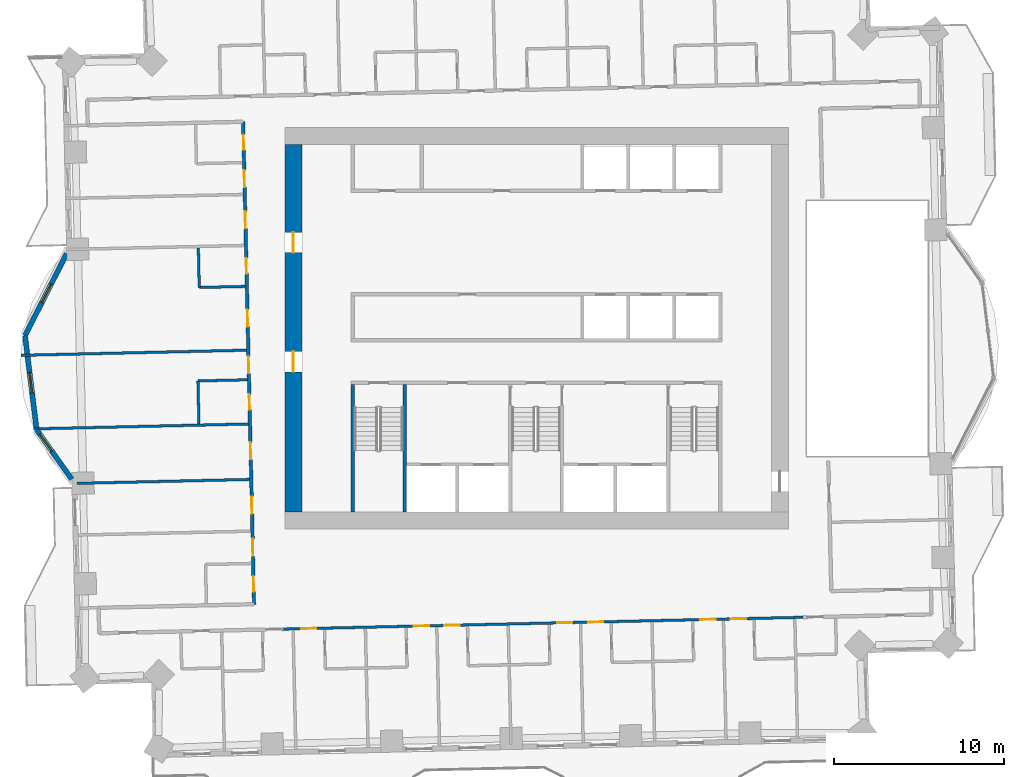
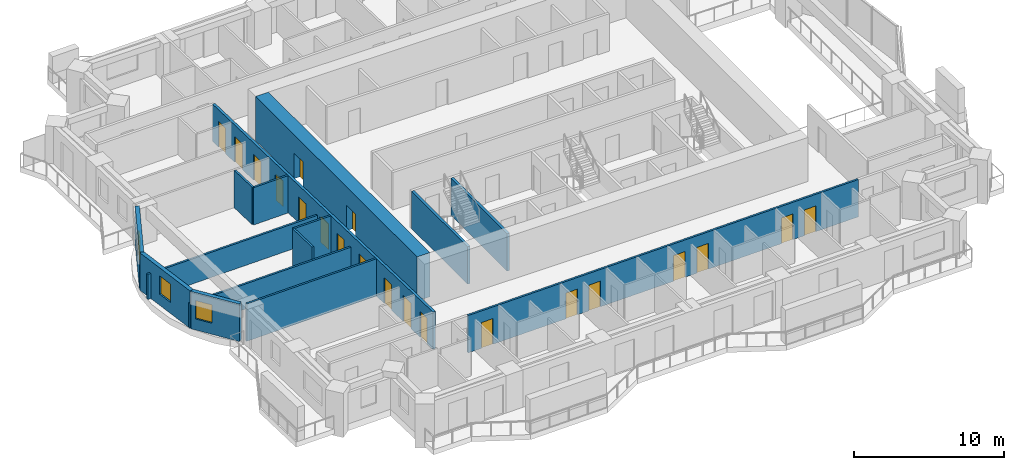
# One storey, part 7 of 16: 20 doors, 15 walls, 3 windows, 23 openings.
"""IFC4 building model written with IfcOpenShell, lengths in metres."""

import ifcopenshell
import ifcopenshell.guid

model = None  # the IFC model being written
_history = None  # IfcOwnerHistory: only IFC2X3 demands one
_inside = {}  # id of a spatial element -> (the spatial element, [elements in it])
_under = {}  # id of a project, library or spatial element -> (it, [spatial elements below it])
_declared = {}  # id of a project -> (the project, [libraries it declares])
_typed = {}  # id of a type object -> (the type object, [elements of that type])
_made_of = {}  # id of a material, layer set ... -> (it, [elements and type objects made of it])


def new_model(schema):
    """Start an empty IFC model of exactly this schema.

    Asked for "IFC4X3", IfcOpenShell would pick the latest addendum, in which some entities
    have other attributes; the version numbers below select the first issue.
    IFC2X3 requires an IfcOwnerHistory on every rooted entity: one is made here for all.
    """
    global model, _history
    if schema == "IFC4X3":
        model = ifcopenshell.file(schema_version=(4, 3, 0, 0))
    else:
        model = ifcopenshell.file(schema=schema)
    _inside.clear()
    _under.clear()
    _declared.clear()
    _typed.clear()
    _made_of.clear()
    _history = None
    if model.schema == "IFC2X3":
        org = make("IfcOrganization", Name="unknown")
        user = make(
            "IfcPersonAndOrganization",
            ThePerson=make("IfcPerson", FamilyName="unknown"),
            TheOrganization=org,
        )
        app = make(
            "IfcApplication",
            ApplicationDeveloper=org,
            Version="unknown",
            ApplicationFullName="unknown",
            ApplicationIdentifier="unknown",
        )
        _history = make(
            "IfcOwnerHistory",
            OwningUser=user,
            OwningApplication=app,
            ChangeAction="ADDED",
            CreationDate=0,
        )
    return model


def make(cls, **values):
    """One entity of the class cls with the attributes given. An attribute that is None is left unset."""
    return model.create_entity(
        cls, **{name: value for name, value in values.items() if value is not None}
    )


def rooted(cls, **values):
    """An entity with a GlobalId (a new one), such as an element, a storey or a relation."""
    return make(cls, GlobalId=ifcopenshell.guid.new(), OwnerHistory=_history, **values)


def si_unit(unit_type, name, prefix=None):
    """IfcSIUnit, for example si_unit("LENGTHUNIT", "METRE", prefix="MILLI")."""
    return make("IfcSIUnit", UnitType=unit_type, Prefix=prefix, Name=name)


def assignment(units):
    """IfcUnitAssignment: the units of a project."""
    return None if units is None else make("IfcUnitAssignment", Units=units)


def point(xyz):
    """IfcCartesianPoint."""
    return None if xyz is None else make("IfcCartesianPoint", Coordinates=xyz)


def direction(xyz):
    """IfcDirection."""
    return None if xyz is None else make("IfcDirection", DirectionRatios=xyz)


def frame(location, z_axis=None, x_axis=None):
    """IfcAxis2Placement3D, a coordinate frame: its origin and axes. An axis left out is left unset."""
    return make(
        "IfcAxis2Placement3D",
        Location=point(location),
        Axis=direction(z_axis),
        RefDirection=direction(x_axis),
    )


def frame_2d(location, x_axis=None):
    """IfcAxis2Placement2D, a coordinate frame in the plane: its origin and x axis."""
    return make(
        "IfcAxis2Placement2D", Location=point(location), RefDirection=direction(x_axis)
    )


def origin():
    """The frame at (0, 0, 0) with its axes left unset."""
    return frame((0.0, 0.0, 0.0))


def place(relative_to, where):
    """IfcLocalPlacement: puts the frame where relative to a parent placement (None: the world)."""
    return make(
        "IfcLocalPlacement", PlacementRelTo=relative_to, RelativePlacement=where
    )


def context(
    kind, dimensions, precision=None, world=None, true_north=None, identifier=None
):
    """IfcGeometricRepresentationContext, for example the 3D "Model" context."""
    return make(
        "IfcGeometricRepresentationContext",
        ContextIdentifier=identifier,
        ContextType=kind,
        CoordinateSpaceDimension=dimensions,
        Precision=precision,
        WorldCoordinateSystem=world,
        TrueNorth=true_north,
    )


def subcontext(parent, identifier, kind, view, scale=None):
    """IfcGeometricRepresentationSubContext, for example "Body" below "Model"."""
    return make(
        "IfcGeometricRepresentationSubContext",
        ContextIdentifier=identifier,
        ContextType=kind,
        ParentContext=parent,
        TargetScale=scale,
        TargetView=view,
    )


def project(units=None, contexts=None):
    """IfcProject with its units and contexts."""
    return rooted(
        "IfcProject",
        Name="project",
        RepresentationContexts=contexts,
        UnitsInContext=assignment(units),
    )


def spatial(cls, under=None, at=None, **own):
    """A site, building, storey or space (cls), placed at a placement, below another one or the project."""
    s = rooted(cls, ObjectPlacement=at, **own)
    if under is not None:
        _under.setdefault(under.id(), (under, []))[1].append(s)
    return s


def profile(cls, at=None, kind="AREA", **sizes):
    """A parametric profile (cls). Its sizes go by their IFC names, for example OverallWidth=200.0."""
    return make(cls, ProfileType=kind, Position=at, **sizes)


def rectangle(**sizes):
    """IfcRectangleProfileDef."""
    return profile("IfcRectangleProfileDef", **sizes)


def extrude(swept, where, along, depth):
    """IfcExtrudedAreaSolid: the profile swept, set in the frame where, extruded along a direction by depth."""
    return make(
        "IfcExtrudedAreaSolid",
        SweptArea=swept,
        Position=where,
        ExtrudedDirection=direction(along),
        Depth=depth,
    )


def shape(context_of_items, identifier, shape_type, items):
    """IfcShapeRepresentation: the items that make up one representation, for example the "Body"."""
    return make(
        "IfcShapeRepresentation",
        ContextOfItems=context_of_items,
        RepresentationIdentifier=identifier,
        RepresentationType=shape_type,
        Items=items,
    )


def material(Name=None, Category=None):
    """IfcMaterial."""
    return make("IfcMaterial", Name=Name, Category=Category)


def layer(
    of_material, thickness, ventilated=None, Name=None, Category=None, Priority=None
):
    """IfcMaterialLayer: one layer of a wall or slab, of a material (None: an air gap)."""
    return make(
        "IfcMaterialLayer",
        Material=of_material,
        LayerThickness=thickness,
        IsVentilated=ventilated,
        Name=Name,
        Category=Category,
        Priority=Priority,
    )


def layer_set(layers, Name=None):
    """IfcMaterialLayerSet."""
    return make("IfcMaterialLayerSet", MaterialLayers=layers, LayerSetName=Name)


def made_of(thing, what):
    """Note that an element or type object is made of a material, layer set ...; save() writes the relation."""
    if what is not None:
        _made_of.setdefault(what.id(), (what, []))[1].append(thing)
    return thing


def type_object(cls, material=None, **own):
    """A type object (cls), such as IfcWallType, which elements share."""
    return made_of(rooted(cls, **own), material)


def element(
    cls,
    number,
    at=None,
    inside=None,
    cuts=None,
    type_object=None,
    material=None,
    context=None,
    identifier="Body",
    shape_type=None,
    held_by="IfcProductDefinitionShape",
    body=None,
    shapes=None,
    **own,
):
    """One element of the class cls, such as IfcWall. Its Tag is "e" and its number.

    at: its placement. inside: the storey or other place that contains it. cuts: it is an
    opening in that element (IfcRelVoidsElement). A single representation is given by context,
    identifier, shape_type and body (its items); several are given by shapes. held_by: the class
    of the entity that holds the representations. save() writes the other relations.
    """
    e = rooted(cls, Tag="e%d" % number, ObjectPlacement=at, **own)
    if body is not None:
        shapes = [shape(context, identifier, shape_type, body)]
    if shapes is not None:
        e.Representation = make(held_by, Representations=shapes)
    if inside is not None:
        _inside.setdefault(inside.id(), (inside, []))[1].append(e)
    if cuts is not None:
        rooted(
            "IfcRelVoidsElement", RelatingBuildingElement=cuts, RelatedOpeningElement=e
        )
    if type_object is not None:
        _typed.setdefault(type_object.id(), (type_object, []))[1].append(e)
    return made_of(e, material)


def fill(opening, filler):
    """IfcRelFillsElement: the door or window that sits in an opening."""
    return rooted(
        "IfcRelFillsElement",
        RelatingOpeningElement=opening,
        RelatedBuildingElement=filler,
    )


def aggregate(whole, parts):
    """IfcRelAggregates: a whole, such as a stair, and the parts it consists of."""
    return rooted("IfcRelAggregates", RelatingObject=whole, RelatedObjects=parts)


def save(model, path):
    """Write the relations noted so far, then the file.

    IfcRelAggregates (storeys below a building ...), IfcRelContainedInSpatialStructure (elements
    in a storey), IfcRelDefinesByType, IfcRelAssociatesMaterial and IfcRelDeclares: one each for
    every whole, place, type object, material and project.
    """
    for whole, parts in _under.values():
        aggregate(whole, parts)
    for where, things in _inside.values():
        rooted(
            "IfcRelContainedInSpatialStructure",
            RelatedElements=things,
            RelatingStructure=where,
        )
    for kind, things in _typed.values():
        rooted("IfcRelDefinesByType", RelatedObjects=things, RelatingType=kind)
    for what, things in _made_of.values():
        rooted("IfcRelAssociatesMaterial", RelatedObjects=things, RelatingMaterial=what)
    for by, libraries in _declared.values():
        rooted("IfcRelDeclares", RelatingContext=by, RelatedDefinitions=libraries)
    model.write(path)


model = new_model("IFC4")

# Units and contexts
model_context = context("Model", 3, precision=1e-05, world=origin(), true_north=direction((0.0, 1.0)))
body_context = subcontext(model_context, "Body", "Model", "MODEL_VIEW")
ifc_project = project(units=[si_unit("LENGTHUNIT", "METRE"), si_unit("AREAUNIT", "SQUARE_METRE"), si_unit("VOLUMEUNIT", "CUBIC_METRE"), si_unit("PLANEANGLEUNIT", "RADIAN"), si_unit("MASSUNIT", "GRAM", prefix="KILO")], contexts=[model_context])

# Site, building, storey
site_placement = place(None, origin())
site = spatial("IfcSite", under=ifc_project, at=site_placement, CompositionType="ELEMENT")
building_placement = place(site_placement, origin())
building = spatial("IfcBuilding", under=site, at=building_placement, Name="Mangrove Gate Tower", CompositionType="ELEMENT")
storey_placement = place(building_placement, frame((0.0, 0.0, 133.699951171875)))
storey = spatial("IfcBuildingStorey", under=building, at=storey_placement, Name="L33", CompositionType="ELEMENT", Elevation=133.699951171875)

# Walls
ifc_material_1 = material(Name="Concrete C70/85", Category="concrete")
ifc_layer_1 = layer(ifc_material_1, 0.199951171875)
ifc_layer_set_1 = layer_set([ifc_layer_1], Name="Core stair wall 200 C70/85")
wall_type_1 = type_object("IfcWallType", Name="Core stair wall 200 C70/85", PredefinedType="SHEAR", material=ifc_layer_set_1)
for number, where, z_axis, x_axis, name in (
    (1, (-10.800048828125, -10.800048828125, 0.0), (0.0, 0.0, 1.0), (0.0, 1.0, 0.0), "WALL-L33-CORE-9"),
    (2, (-7.75, -10.800048828125, 0.0), (0.0, 0.0, 1.0), (0.0, 1.0, 0.0), "WALL-L33-CORE-10"),
):
    element("IfcWall", number, at=place(storey_placement, frame(where, z_axis=z_axis, x_axis=x_axis)), inside=storey, type_object=wall_type_1, Name=name, PredefinedType="SHEAR", context=body_context, shape_type="SweptSolid", body=[
        extrude(rectangle(XDim=7.5, YDim=0.199951171875, at=frame_2d((3.75, 0.0))), origin(), (0.0, 0.0, 1.0), 3.050048828125),
    ])

# Wall, openings, doors
ifc_material_2 = material(Name="Concrete C70/85", Category="concrete")
ifc_layer_2 = layer(ifc_material_2, 1.0)
ifc_layer_set_2 = layer_set([ifc_layer_2], Name="Core wall 1000 C70/85")
wall_type_2 = type_object("IfcWallType", Name="Core wall 1000 C70/85", PredefinedType="SHEAR", material=ifc_layer_set_2)
wall_1_placement = place(storey_placement, frame((-14.300048828125, -10.800048828125, 0.0), z_axis=(0.0, 0.0, 1.0), x_axis=(0.0, 1.0, 0.0)))
wall_1 = element("IfcWall", 3, at=wall_1_placement, inside=storey, type_object=wall_type_2, Name="WALL-L33-CORE-3", PredefinedType="SHEAR", context=body_context, shape_type="SweptSolid", body=[
    extrude(rectangle(XDim=21.60009765625, YDim=1.0, at=frame_2d((10.800048828125, 0.0))), origin(), (0.0, 0.0, 1.0), 3.60009765625),
])
opening_1_placement = place(wall_1_placement, frame((8.25, 0.0, 0.0)))
opening_1 = element("IfcOpeningElement", 4, at=opening_1_placement, cuts=wall_1, Name="Opening CD", PredefinedType="OPENING", context=body_context, shape_type="SweptSolid", body=[
    extrude(rectangle(XDim=1.199951171875, YDim=2.10009765625, at=frame_2d((0.60009765625, 1.050048828125))), frame((0.0, 0.510009765625, 0.0), z_axis=(0.0, -1.0, 0.0), x_axis=(1.0, 0.0, 0.0)), (0.0, 0.0, 1.0), 1.02001953125),
])
opening_2_placement = place(wall_1_placement, frame((15.25, 0.0, 0.0)))
opening_2 = element("IfcOpeningElement", 5, at=opening_2_placement, cuts=wall_1, Name="Opening CD", PredefinedType="OPENING", context=body_context, shape_type="SweptSolid", body=[
    extrude(rectangle(XDim=1.199951171875, YDim=2.10009765625, at=frame_2d((0.60009765625, 1.050048828125))), frame((0.0, 0.510009765625, 0.0), z_axis=(0.0, -1.0, 0.0), x_axis=(1.0, 0.0, 0.0)), (0.0, 0.0, 1.0), 1.02001953125),
])
ifc_material_3 = material(Name="Fire-rated steel door set", Category="steel")
door_type_1 = type_object("IfcDoorType", Name="Core ring door FD60 1200x2100", OperationType="DOUBLE_DOOR_SINGLE_SWING", PredefinedType="DOOR", material=ifc_material_3)
door_1_placement = place(opening_1_placement, origin())
door_1 = element("IfcDoor", 6, at=door_1_placement, inside=storey, type_object=door_type_1, Name="Core ring door W1", OperationType="DOUBLE_DOOR_SINGLE_SWING", OverallHeight=2.10009765625, OverallWidth=1.199951171875, PredefinedType="DOOR", context=body_context, shape_type="SweptSolid", body=[
    extrude(rectangle(XDim=1.199951171875, YDim=2.10009765625, at=frame_2d((0.60009765625, 1.050048828125))), frame((0.0, 0.02490234375, 0.0), z_axis=(0.0, -1.0, 0.0), x_axis=(1.0, 0.0, 0.0)), (0.0, 0.0, 1.0), 0.050048828125),
])
fill(opening_1, door_1)
door_2_placement = place(opening_2_placement, origin())
door_2 = element("IfcDoor", 7, at=door_2_placement, inside=storey, type_object=door_type_1, Name="Core ring door W2", OperationType="DOUBLE_DOOR_SINGLE_SWING", OverallHeight=2.10009765625, OverallWidth=1.199951171875, PredefinedType="DOOR", context=body_context, shape_type="SweptSolid", body=[
    extrude(rectangle(XDim=1.199951171875, YDim=2.10009765625, at=frame_2d((0.60009765625, 1.050048828125))), frame((0.0, 0.02490234375, 0.0), z_axis=(0.0, -1.0, 0.0), x_axis=(1.0, 0.0, 0.0)), (0.0, 0.0, 1.0), 0.050048828125),
])
fill(opening_2, door_2)

ifc_material_4 = material(Name="Gypsum board on steel stud, EI 60", Category="steel")
ifc_layer_3 = layer(ifc_material_4, 0.199951171875)
ifc_layer_set_3 = layer_set([ifc_layer_3], Name="Corridor wall EI 60")
wall_type_3 = type_object("IfcWallType", Name="Corridor wall EI 60", PredefinedType="PARTITIONING", material=ifc_layer_set_3)
wall_2_placement = place(storey_placement, frame((-16.60302734375, -16.218017578125, 0.0), z_axis=(0.0, 0.0, 1.0), x_axis=(-0.022698146637, 0.999742363881, 0.0)))
wall_2 = element("IfcWall", 8, at=wall_2_placement, inside=storey, type_object=wall_type_3, Name="WALL-L33-033", PredefinedType="PARTITIONING", context=body_context, shape_type="SweptSolid", body=[
    extrude(rectangle(XDim=28.374267578125, YDim=0.199951171875, at=frame_2d((14.18701171875, 0.0))), origin(), (0.0, 0.0, 1.0), 3.050048828125),
])
opening_3_placement = place(wall_2_placement, frame((24.537109375, 0.0, 0.0)))
opening_3 = element("IfcOpeningElement", 9, at=opening_3_placement, cuts=wall_2, Name="Opening AD", PredefinedType="OPENING", context=body_context, shape_type="SweptSolid", body=[
    extrude(rectangle(XDim=1.0, YDim=2.10009765625, at=frame_2d((0.5, 1.050048828125))), frame((0.0, 0.10986328125, 0.0), z_axis=(0.0, -1.0, 0.0), x_axis=(1.0, 0.0, 0.0)), (0.0, 0.0, 1.0), 0.219970703125),
])
opening_4_placement = place(wall_2_placement, frame((26.72412109375, 0.0, 0.0)))
opening_4 = element("IfcOpeningElement", 10, at=opening_4_placement, cuts=wall_2, Name="Opening SD", PredefinedType="OPENING", context=body_context, shape_type="SweptSolid", body=[
    extrude(rectangle(XDim=0.89990234375, YDim=2.10009765625, at=frame_2d((0.449951171875, 1.050048828125))), frame((0.0, 0.10986328125, 0.0), z_axis=(0.0, -1.0, 0.0), x_axis=(1.0, 0.0, 0.0)), (0.0, 0.0, 1.0), 0.219970703125),
])
opening_5_placement = place(wall_2_placement, frame((22.09912109375, 0.0, 0.0)))
opening_5 = element("IfcOpeningElement", 11, at=opening_5_placement, cuts=wall_2, Name="Opening AD", PredefinedType="OPENING", context=body_context, shape_type="SweptSolid", body=[
    extrude(rectangle(XDim=1.0, YDim=2.10009765625, at=frame_2d((0.5, 1.050048828125))), frame((0.0, 0.10986328125, 0.0), z_axis=(0.0, -1.0, 0.0), x_axis=(1.0, 0.0, 0.0)), (0.0, 0.0, 1.0), 0.219970703125),
])
opening_6_placement = place(wall_2_placement, frame((16.323974609375, 0.0, 0.0)))
opening_6 = element("IfcOpeningElement", 12, at=opening_6_placement, cuts=wall_2, Name="Opening AD", PredefinedType="OPENING", context=body_context, shape_type="SweptSolid", body=[
    extrude(rectangle(XDim=1.0, YDim=2.10009765625, at=frame_2d((0.5, 1.050048828125))), frame((0.0, 0.10986328125, 0.0), z_axis=(0.0, -1.0, 0.0), x_axis=(1.0, 0.0, 0.0)), (0.0, 0.0, 1.0), 0.219970703125),
])
opening_7_placement = place(wall_2_placement, frame((19.448974609375, 0.0, 0.0)))
opening_7 = element("IfcOpeningElement", 13, at=opening_7_placement, cuts=wall_2, Name="Opening SD", PredefinedType="OPENING", context=body_context, shape_type="SweptSolid", body=[
    extrude(rectangle(XDim=0.89990234375, YDim=2.10009765625, at=frame_2d((0.449951171875, 1.050048828125))), frame((0.0, 0.10986328125, 0.0), z_axis=(0.0, -1.0, 0.0), x_axis=(1.0, 0.0, 0.0)), (0.0, 0.0, 1.0), 0.219970703125),
])
opening_8_placement = place(wall_2_placement, frame((13.573974609375, 0.0, 0.0)))
opening_8 = element("IfcOpeningElement", 14, at=opening_8_placement, cuts=wall_2, Name="Opening AD", PredefinedType="OPENING", context=body_context, shape_type="SweptSolid", body=[
    extrude(rectangle(XDim=1.0, YDim=2.10009765625, at=frame_2d((0.5, 1.050048828125))), frame((0.0, 0.10986328125, 0.0), z_axis=(0.0, -1.0, 0.0), x_axis=(1.0, 0.0, 0.0)), (0.0, 0.0, 1.0), 0.219970703125),
])
opening_9_placement = place(wall_2_placement, frame((11.448974609375, 0.0, 0.0)))
opening_9 = element("IfcOpeningElement", 15, at=opening_9_placement, cuts=wall_2, Name="Opening SD", PredefinedType="OPENING", context=body_context, shape_type="SweptSolid", body=[
    extrude(rectangle(XDim=0.89990234375, YDim=2.10009765625, at=frame_2d((0.449951171875, 1.050048828125))), frame((0.0, 0.10986328125, 0.0), z_axis=(0.0, -1.0, 0.0), x_axis=(1.0, 0.0, 0.0)), (0.0, 0.0, 1.0), 0.219970703125),
])
opening_10_placement = place(wall_2_placement, frame((8.52392578125, 0.0, 0.0)))
opening_10 = element("IfcOpeningElement", 16, at=opening_10_placement, cuts=wall_2, Name="Opening AD", PredefinedType="OPENING", context=body_context, shape_type="SweptSolid", body=[
    extrude(rectangle(XDim=1.0, YDim=2.10009765625, at=frame_2d((0.5, 1.050048828125))), frame((0.0, 0.10986328125, 0.0), z_axis=(0.0, -1.0, 0.0), x_axis=(1.0, 0.0, 0.0)), (0.0, 0.0, 1.0), 0.219970703125),
])
opening_11_placement = place(wall_2_placement, frame((5.324951171875, 0.0, 0.0)))
opening_11 = element("IfcOpeningElement", 17, at=opening_11_placement, cuts=wall_2, Name="Opening AD", PredefinedType="OPENING", context=body_context, shape_type="SweptSolid", body=[
    extrude(rectangle(XDim=1.0, YDim=2.10009765625, at=frame_2d((0.5, 1.050048828125))), frame((0.0, 0.10986328125, 0.0), z_axis=(0.0, -1.0, 0.0), x_axis=(1.0, 0.0, 0.0)), (0.0, 0.0, 1.0), 0.219970703125),
])
opening_12_placement = place(wall_2_placement, frame((2.85009765625, 0.0, 0.0)))
opening_12 = element("IfcOpeningElement", 18, at=opening_12_placement, cuts=wall_2, Name="Opening AD", PredefinedType="OPENING", context=body_context, shape_type="SweptSolid", body=[
    extrude(rectangle(XDim=1.0, YDim=2.10009765625, at=frame_2d((0.5, 1.050048828125))), frame((0.0, 0.10986328125, 0.0), z_axis=(0.0, -1.0, 0.0), x_axis=(1.0, 0.0, 0.0)), (0.0, 0.0, 1.0), 0.219970703125),
])
opening_13_placement = place(wall_2_placement, frame((0.75, 0.0, 0.0)))
opening_13 = element("IfcOpeningElement", 19, at=opening_13_placement, cuts=wall_2, Name="Opening SD", PredefinedType="OPENING", context=body_context, shape_type="SweptSolid", body=[
    extrude(rectangle(XDim=0.89990234375, YDim=2.10009765625, at=frame_2d((0.449951171875, 1.050048828125))), frame((0.0, 0.10986328125, 0.0), z_axis=(0.0, -1.0, 0.0), x_axis=(1.0, 0.0, 0.0)), (0.0, 0.0, 1.0), 0.219970703125),
])
ifc_material_5 = material(Name="Timber door leaf", Category="wood")
door_type_2 = type_object("IfcDoorType", Name="Amenity door 1000", OperationType="SINGLE_SWING_LEFT", PredefinedType="DOOR", material=ifc_material_5)
door_3_placement = place(opening_3_placement, origin())
door_3 = element("IfcDoor", 20, at=door_3_placement, inside=storey, type_object=door_type_2, Name="DOOR-L33-GAM-c5a", OperationType="SINGLE_SWING_RIGHT", OverallHeight=2.10009765625, OverallWidth=1.0, PredefinedType="DOOR", context=body_context, shape_type="SweptSolid", body=[
    extrude(rectangle(XDim=1.0, YDim=2.10009765625, at=frame_2d((0.5, 1.050048828125))), frame((0.0, 0.02490234375, 0.0), z_axis=(0.0, -1.0, 0.0), x_axis=(1.0, 0.0, 0.0)), (0.0, 0.0, 1.0), 0.050048828125),
])
fill(opening_3, door_3)
door_4_placement = place(opening_5_placement, origin())
door_4 = element("IfcDoor", 21, at=door_4_placement, inside=storey, type_object=door_type_2, Name="DOOR-L33-STU-c5a", OperationType="SINGLE_SWING_LEFT", OverallHeight=2.10009765625, OverallWidth=1.0, PredefinedType="DOOR", context=body_context, shape_type="SweptSolid", body=[
    extrude(rectangle(XDim=1.0, YDim=2.10009765625, at=frame_2d((0.5, 1.050048828125))), frame((0.0, 0.02490234375, 0.0), z_axis=(0.0, -1.0, 0.0), x_axis=(1.0, 0.0, 0.0)), (0.0, 0.0, 1.0), 0.050048828125),
])
fill(opening_5, door_4)
door_5_placement = place(opening_6_placement, origin())
door_5 = element("IfcDoor", 22, at=door_5_placement, inside=storey, type_object=door_type_2, Name="DOOR-L33-LNG-c5b", OperationType="SINGLE_SWING_RIGHT", OverallHeight=2.10009765625, OverallWidth=1.0, PredefinedType="DOOR", context=body_context, shape_type="SweptSolid", body=[
    extrude(rectangle(XDim=1.0, YDim=2.10009765625, at=frame_2d((0.5, 1.050048828125))), frame((0.0, 0.02490234375, 0.0), z_axis=(0.0, -1.0, 0.0), x_axis=(1.0, 0.0, 0.0)), (0.0, 0.0, 1.0), 0.050048828125),
])
fill(opening_6, door_5)
door_6_placement = place(opening_8_placement, origin())
door_6 = element("IfcDoor", 23, at=door_6_placement, inside=storey, type_object=door_type_2, Name="DOOR-L33-STU-c5b", OperationType="SINGLE_SWING_LEFT", OverallHeight=2.10009765625, OverallWidth=1.0, PredefinedType="DOOR", context=body_context, shape_type="SweptSolid", body=[
    extrude(rectangle(XDim=1.0, YDim=2.10009765625, at=frame_2d((0.5, 1.050048828125))), frame((0.0, 0.02490234375, 0.0), z_axis=(0.0, -1.0, 0.0), x_axis=(1.0, 0.0, 0.0)), (0.0, 0.0, 1.0), 0.050048828125),
])
fill(opening_8, door_6)
door_7_placement = place(opening_10_placement, origin())
door_7 = element("IfcDoor", 24, at=door_7_placement, inside=storey, type_object=door_type_2, Name="DOOR-L33-STU-c5c", OperationType="SINGLE_SWING_RIGHT", OverallHeight=2.10009765625, OverallWidth=1.0, PredefinedType="DOOR", context=body_context, shape_type="SweptSolid", body=[
    extrude(rectangle(XDim=1.0, YDim=2.10009765625, at=frame_2d((0.5, 1.050048828125))), frame((0.0, 0.02490234375, 0.0), z_axis=(0.0, -1.0, 0.0), x_axis=(1.0, 0.0, 0.0)), (0.0, 0.0, 1.0), 0.050048828125),
])
fill(opening_10, door_7)
door_8_placement = place(opening_11_placement, origin())
door_8 = element("IfcDoor", 25, at=door_8_placement, inside=storey, type_object=door_type_2, Name="DOOR-L33-STU-c5d", OperationType="SINGLE_SWING_LEFT", OverallHeight=2.10009765625, OverallWidth=1.0, PredefinedType="DOOR", context=body_context, shape_type="SweptSolid", body=[
    extrude(rectangle(XDim=1.0, YDim=2.10009765625, at=frame_2d((0.5, 1.050048828125))), frame((0.0, 0.02490234375, 0.0), z_axis=(0.0, -1.0, 0.0), x_axis=(1.0, 0.0, 0.0)), (0.0, 0.0, 1.0), 0.050048828125),
])
fill(opening_11, door_8)
door_9_placement = place(opening_12_placement, origin())
door_9 = element("IfcDoor", 26, at=door_9_placement, inside=storey, type_object=door_type_2, Name="DOOR-L33-KIT-c5a", OperationType="SINGLE_SWING_RIGHT", OverallHeight=2.10009765625, OverallWidth=1.0, PredefinedType="DOOR", context=body_context, shape_type="SweptSolid", body=[
    extrude(rectangle(XDim=1.0, YDim=2.10009765625, at=frame_2d((0.5, 1.050048828125))), frame((0.0, 0.02490234375, 0.0), z_axis=(0.0, -1.0, 0.0), x_axis=(1.0, 0.0, 0.0)), (0.0, 0.0, 1.0), 0.050048828125),
])
fill(opening_12, door_9)
ifc_material_6 = material(Name="Timber door leaf", Category="wood")
door_type_3 = type_object("IfcDoorType", Name="Service room door 900", OperationType="SINGLE_SWING_LEFT", PredefinedType="DOOR", material=ifc_material_6)
door_10_placement = place(opening_4_placement, origin())
door_10 = element("IfcDoor", 27, at=door_10_placement, inside=storey, type_object=door_type_3, Name="DOOR-L33-WC-c5a", OperationType="SINGLE_SWING_LEFT", OverallHeight=2.10009765625, OverallWidth=0.89990234375, PredefinedType="DOOR", context=body_context, shape_type="SweptSolid", body=[
    extrude(rectangle(XDim=0.89990234375, YDim=2.10009765625, at=frame_2d((0.449951171875, 1.050048828125))), frame((0.0, 0.02490234375, 0.0), z_axis=(0.0, -1.0, 0.0), x_axis=(1.0, 0.0, 0.0)), (0.0, 0.0, 1.0), 0.050048828125),
])
fill(opening_4, door_10)
door_11_placement = place(opening_7_placement, origin())
door_11 = element("IfcDoor", 28, at=door_11_placement, inside=storey, type_object=door_type_3, Name="DOOR-L33-WC-c5b", OperationType="SINGLE_SWING_RIGHT", OverallHeight=2.10009765625, OverallWidth=0.89990234375, PredefinedType="DOOR", context=body_context, shape_type="SweptSolid", body=[
    extrude(rectangle(XDim=0.89990234375, YDim=2.10009765625, at=frame_2d((0.449951171875, 1.050048828125))), frame((0.0, 0.02490234375, 0.0), z_axis=(0.0, -1.0, 0.0), x_axis=(1.0, 0.0, 0.0)), (0.0, 0.0, 1.0), 0.050048828125),
])
fill(opening_7, door_11)
door_12_placement = place(opening_9_placement, origin())
door_12 = element("IfcDoor", 29, at=door_12_placement, inside=storey, type_object=door_type_3, Name="DOOR-L33-AWC-c5b", OperationType="SINGLE_SWING_LEFT", OverallHeight=2.10009765625, OverallWidth=0.89990234375, PredefinedType="DOOR", context=body_context, shape_type="SweptSolid", body=[
    extrude(rectangle(XDim=0.89990234375, YDim=2.10009765625, at=frame_2d((0.449951171875, 1.050048828125))), frame((0.0, 0.02490234375, 0.0), z_axis=(0.0, -1.0, 0.0), x_axis=(1.0, 0.0, 0.0)), (0.0, 0.0, 1.0), 0.050048828125),
])
fill(opening_9, door_12)
door_13_placement = place(opening_13_placement, origin())
door_13 = element("IfcDoor", 30, at=door_13_placement, inside=storey, type_object=door_type_3, Name="DOOR-L33-WC-c5c", OperationType="SINGLE_SWING_RIGHT", OverallHeight=2.10009765625, OverallWidth=0.89990234375, PredefinedType="DOOR", context=body_context, shape_type="SweptSolid", body=[
    extrude(rectangle(XDim=0.89990234375, YDim=2.10009765625, at=frame_2d((0.449951171875, 1.050048828125))), frame((0.0, 0.02490234375, 0.0), z_axis=(0.0, -1.0, 0.0), x_axis=(1.0, 0.0, 0.0)), (0.0, 0.0, 1.0), 0.050048828125),
])
fill(opening_13, door_13)

# Wall, opening, window
ifc_material_7 = material(Name="Limestone", Category="masonry")
ifc_layer_4 = layer(ifc_material_7, 0.0400390625, Name="Limestone cladding")
ifc_material_8 = material(Name="Ventilated air gap")
ifc_layer_5 = layer(ifc_material_8, 0.0400390625, Name="Ventilated cavity")
ifc_material_9 = material(Name="Mineral wool insulation")
ifc_layer_6 = layer(ifc_material_9, 0.06005859375, Name="Insulation")
ifc_material_10 = material(Name="Breather membrane")
ifc_layer_7 = layer(ifc_material_10, 0.001953125, Name="Breather membrane")
ifc_material_11 = material(Name="Concrete C20/25 blockwork", Category="masonry")
ifc_layer_8 = layer(ifc_material_11, 0.14990234375, Name="Blockwork backing wall")
ifc_material_12 = material(Name="Gypsum plaster")
ifc_layer_9 = layer(ifc_material_12, 0.008056640625, Name="Internal plaster")
ifc_layer_set_4 = layer_set([ifc_layer_4, ifc_layer_5, ifc_layer_6, ifc_layer_7, ifc_layer_8, ifc_layer_9], Name="External wall 300 limestone cladding")
wall_type_4 = type_object("IfcWallType", Name="External wall 300 limestone cladding", PredefinedType="SOLIDWALL", material=ifc_layer_set_4)
wall_3_placement = place(storey_placement, frame((-27.625, 4.39208984375, 0.0), z_axis=(0.0, 0.0, 1.0), x_axis=(-0.45268572245, -0.891670138947, 0.0)))
wall_3 = element("IfcWall", 31, at=wall_3_placement, inside=storey, type_object=wall_type_4, Name="WALL-L33-W9f1", PredefinedType="SOLIDWALL", context=body_context, shape_type="SweptSolid", body=[
    extrude(rectangle(XDim=5.399169921875, YDim=0.300048828125, at=frame_2d((2.69970703125, 0.0))), origin(), (0.0, 0.0, 1.0), 3.050048828125),
])
opening_14_placement = place(wall_3_placement, frame((2.008056640625, 0.0, 0.89990234375)))
opening_14 = element("IfcOpeningElement", 32, at=opening_14_placement, cuts=wall_3, Name="Opening W1", PredefinedType="OPENING", context=body_context, shape_type="SweptSolid", body=[
    extrude(rectangle(XDim=1.199951171875, YDim=1.5, at=frame_2d((0.60009765625, 0.75))), frame((0.0, 0.159912109375, 0.0), z_axis=(0.0, -1.0, 0.0), x_axis=(1.0, 0.0, 0.0)), (0.0, 0.0, 1.0), 0.320068359375),
])
ifc_material_13 = material(Name="Aluminium frame with double-glazed low-e glass", Category="aluminium")
window_type = type_object("IfcWindowType", Name="Side lite 1200x1500", PartitioningType="SINGLE_PANEL", PredefinedType="WINDOW", material=ifc_material_13)
window_1_placement = place(opening_14_placement, origin())
window_1 = element("IfcWindow", 33, at=window_1_placement, inside=storey, type_object=window_type, Name="WIN-L33-W9f1", OverallHeight=1.5, OverallWidth=1.199951171875, PartitioningType="SINGLE_PANEL", PredefinedType="WINDOW", context=body_context, shape_type="SweptSolid", body=[
    extrude(rectangle(XDim=1.199951171875, YDim=1.5, at=frame_2d((0.60009765625, 0.75))), frame((0.0, 0.030029296875, 0.0), z_axis=(0.0, -1.0, 0.0), x_axis=(1.0, 0.0, 0.0)), (0.0, 0.0, 1.0), 0.06005859375),
])
fill(opening_14, window_1)

wall_4_placement = place(storey_placement, frame((-30.069091796875, -0.422119140625, 0.0), z_axis=(0.0, 0.0, 1.0), x_axis=(0.122206978992, -0.992504636909, 0.0)))
wall_4 = element("IfcWall", 34, at=wall_4_placement, inside=storey, type_object=wall_type_4, Name="WALL-L33-W9f2", PredefinedType="SOLIDWALL", context=body_context, shape_type="SweptSolid", body=[
    extrude(rectangle(XDim=5.57373046875, YDim=0.300048828125, at=frame_2d((2.786865234375, 0.0))), origin(), (0.0, 0.0, 1.0), 3.050048828125),
])
opening_15_placement = place(wall_4_placement, frame((2.18701171875, 0.0, 0.89990234375)))
opening_15 = element("IfcOpeningElement", 35, at=opening_15_placement, cuts=wall_4, Name="Opening W1", PredefinedType="OPENING", context=body_context, shape_type="SweptSolid", body=[
    extrude(rectangle(XDim=1.199951171875, YDim=1.5, at=frame_2d((0.60009765625, 0.75))), frame((0.0, 0.159912109375, 0.0), z_axis=(0.0, -1.0, 0.0), x_axis=(1.0, 0.0, 0.0)), (0.0, 0.0, 1.0), 0.320068359375),
])
window_2_placement = place(opening_15_placement, origin())
window_2 = element("IfcWindow", 36, at=window_2_placement, inside=storey, type_object=window_type, Name="WIN-L33-W9f2", OverallHeight=1.5, OverallWidth=1.199951171875, PartitioningType="SINGLE_PANEL", PredefinedType="WINDOW", context=body_context, shape_type="SweptSolid", body=[
    extrude(rectangle(XDim=1.199951171875, YDim=1.5, at=frame_2d((0.60009765625, 0.75))), frame((0.0, 0.030029296875, 0.0), z_axis=(0.0, -1.0, 0.0), x_axis=(1.0, 0.0, 0.0)), (0.0, 0.0, 1.0), 0.06005859375),
])
fill(opening_15, window_2)

wall_5_placement = place(storey_placement, frame((-29.387939453125, -5.9541015625, 0.0), z_axis=(0.0, 0.0, 1.0), x_axis=(0.578095163598, -0.815969351033, 0.0)))
wall_5 = element("IfcWall", 37, at=wall_5_placement, inside=storey, type_object=wall_type_4, Name="WALL-L33-W9f3", PredefinedType="SOLIDWALL", context=body_context, shape_type="SweptSolid", body=[
    extrude(rectangle(XDim=3.568603515625, YDim=0.300048828125, at=frame_2d((1.7841796875, 0.0))), origin(), (0.0, 0.0, 1.0), 3.050048828125),
])
opening_16_placement = place(wall_5_placement, frame((0.337890625, 0.0, 0.89990234375)))
opening_16 = element("IfcOpeningElement", 38, at=opening_16_placement, cuts=wall_5, Name="Opening W1", PredefinedType="OPENING", context=body_context, shape_type="SweptSolid", body=[
    extrude(rectangle(XDim=1.199951171875, YDim=1.5, at=frame_2d((0.60009765625, 0.75))), frame((0.0, 0.159912109375, 0.0), z_axis=(0.0, -1.0, 0.0), x_axis=(1.0, 0.0, 0.0)), (0.0, 0.0, 1.0), 0.320068359375),
])
window_3_placement = place(opening_16_placement, origin())
window_3 = element("IfcWindow", 39, at=window_3_placement, inside=storey, type_object=window_type, Name="WIN-L33-W9f3", OverallHeight=1.5, OverallWidth=1.199951171875, PartitioningType="SINGLE_PANEL", PredefinedType="WINDOW", context=body_context, shape_type="SweptSolid", body=[
    extrude(rectangle(XDim=1.199951171875, YDim=1.5, at=frame_2d((0.60009765625, 0.75))), frame((0.0, 0.030029296875, 0.0), z_axis=(0.0, -1.0, 0.0), x_axis=(1.0, 0.0, 0.0)), (0.0, 0.0, 1.0), 0.06005859375),
])
fill(opening_16, window_3)

# Wall, openings, doors
ifc_material_14 = material(Name="Gypsum board on steel stud, EI 60", Category="steel")
ifc_layer_10 = layer(ifc_material_14, 0.14990234375)
ifc_layer_set_5 = layer_set([ifc_layer_10], Name="Party wall 150 EI 60")
wall_type_5 = type_object("IfcWallType", Name="Party wall 150 EI 60", PredefinedType="PARTITIONING", material=ifc_layer_set_5)
wall_6_placement = place(storey_placement, frame((-14.87109375, -17.675048828125, 0.0), z_axis=(0.0, 0.0, 1.0), x_axis=(0.999742359486, 0.02269834024, 0.0)))
wall_6 = element("IfcWall", 40, at=wall_6_placement, inside=storey, type_object=wall_type_5, Name="WALL-L33-030", PredefinedType="PARTITIONING", context=body_context, shape_type="SweptSolid", body=[
    extrude(rectangle(XDim=30.535888671875, YDim=0.14990234375, at=frame_2d((15.26806640625, 0.0))), origin(), (0.0, 0.0, 1.0), 3.050048828125),
])
opening_17_placement = place(wall_6_placement, frame((1.033935546875, 0.0, 0.0)))
opening_17 = element("IfcOpeningElement", 41, at=opening_17_placement, cuts=wall_6, Name="Opening BD", PredefinedType="OPENING", context=body_context, shape_type="SweptSolid", body=[
    extrude(rectangle(XDim=0.89990234375, YDim=2.10009765625, at=frame_2d((0.449951171875, 1.050048828125))), frame((0.0, 0.0849609375, 0.0), z_axis=(0.0, -1.0, 0.0), x_axis=(1.0, 0.0, 0.0)), (0.0, 0.0, 1.0), 0.169921875),
])
opening_18_placement = place(wall_6_placement, frame((7.658935546875, 0.0, 0.0)))
opening_18 = element("IfcOpeningElement", 42, at=opening_18_placement, cuts=wall_6, Name="Opening BD", PredefinedType="OPENING", context=body_context, shape_type="SweptSolid", body=[
    extrude(rectangle(XDim=0.89990234375, YDim=2.10009765625, at=frame_2d((0.449951171875, 1.050048828125))), frame((0.0, 0.0849609375, 0.0), z_axis=(0.0, -1.0, 0.0), x_axis=(1.0, 0.0, 0.0)), (0.0, 0.0, 1.0), 0.169921875),
])
opening_19_placement = place(wall_6_placement, frame((9.458984375, 0.0, 0.0)))
opening_19 = element("IfcOpeningElement", 43, at=opening_19_placement, cuts=wall_6, Name="Opening BD", PredefinedType="OPENING", context=body_context, shape_type="SweptSolid", body=[
    extrude(rectangle(XDim=0.89990234375, YDim=2.10009765625, at=frame_2d((0.449951171875, 1.050048828125))), frame((0.0, 0.0849609375, 0.0), z_axis=(0.0, -1.0, 0.0), x_axis=(1.0, 0.0, 0.0)), (0.0, 0.0, 1.0), 0.169921875),
])
opening_20_placement = place(wall_6_placement, frame((16.083984375, 0.0, 0.0)))
opening_20 = element("IfcOpeningElement", 44, at=opening_20_placement, cuts=wall_6, Name="Opening BD", PredefinedType="OPENING", context=body_context, shape_type="SweptSolid", body=[
    extrude(rectangle(XDim=0.89990234375, YDim=2.10009765625, at=frame_2d((0.449951171875, 1.050048828125))), frame((0.0, 0.0849609375, 0.0), z_axis=(0.0, -1.0, 0.0), x_axis=(1.0, 0.0, 0.0)), (0.0, 0.0, 1.0), 0.169921875),
])
opening_21_placement = place(wall_6_placement, frame((17.908935546875, 0.0, 0.0)))
opening_21 = element("IfcOpeningElement", 45, at=opening_21_placement, cuts=wall_6, Name="Opening BD", PredefinedType="OPENING", context=body_context, shape_type="SweptSolid", body=[
    extrude(rectangle(XDim=0.89990234375, YDim=2.10009765625, at=frame_2d((0.449951171875, 1.050048828125))), frame((0.0, 0.0849609375, 0.0), z_axis=(0.0, -1.0, 0.0), x_axis=(1.0, 0.0, 0.0)), (0.0, 0.0, 1.0), 0.169921875),
])
opening_22_placement = place(wall_6_placement, frame((24.509033203125, 0.0, 0.0)))
opening_22 = element("IfcOpeningElement", 46, at=opening_22_placement, cuts=wall_6, Name="Opening BD", PredefinedType="OPENING", context=body_context, shape_type="SweptSolid", body=[
    extrude(rectangle(XDim=0.89990234375, YDim=2.10009765625, at=frame_2d((0.449951171875, 1.050048828125))), frame((0.0, 0.0849609375, 0.0), z_axis=(0.0, -1.0, 0.0), x_axis=(1.0, 0.0, 0.0)), (0.0, 0.0, 1.0), 0.169921875),
])
opening_23_placement = place(wall_6_placement, frame((26.30908203125, 0.0, 0.0)))
opening_23 = element("IfcOpeningElement", 47, at=opening_23_placement, cuts=wall_6, Name="Opening BD", PredefinedType="OPENING", context=body_context, shape_type="SweptSolid", body=[
    extrude(rectangle(XDim=0.89990234375, YDim=2.10009765625, at=frame_2d((0.449951171875, 1.050048828125))), frame((0.0, 0.0849609375, 0.0), z_axis=(0.0, -1.0, 0.0), x_axis=(1.0, 0.0, 0.0)), (0.0, 0.0, 1.0), 0.169921875),
])
ifc_material_15 = material(Name="Timber door leaf", Category="wood")
door_type_4 = type_object("IfcDoorType", Name="Bedroom door 900", OperationType="SINGLE_SWING_LEFT", PredefinedType="DOOR", material=ifc_material_15)
door_14_placement = place(opening_17_placement, origin())
door_14 = element("IfcDoor", 48, at=door_14_placement, inside=storey, type_object=door_type_4, Name="DOOR-L33-BED-c102", OperationType="SINGLE_SWING_RIGHT", OverallHeight=2.10009765625, OverallWidth=0.89990234375, PredefinedType="DOOR", context=body_context, shape_type="SweptSolid", body=[
    extrude(rectangle(XDim=0.89990234375, YDim=2.10009765625, at=frame_2d((0.449951171875, 1.050048828125))), frame((0.0, 0.02490234375, 0.0), z_axis=(0.0, -1.0, 0.0), x_axis=(1.0, 0.0, 0.0)), (0.0, 0.0, 1.0), 0.050048828125),
])
fill(opening_17, door_14)
door_15_placement = place(opening_18_placement, origin())
door_15 = element("IfcDoor", 49, at=door_15_placement, inside=storey, type_object=door_type_4, Name="DOOR-L33-BED-c103", OperationType="SINGLE_SWING_LEFT", OverallHeight=2.10009765625, OverallWidth=0.89990234375, PredefinedType="DOOR", context=body_context, shape_type="SweptSolid", body=[
    extrude(rectangle(XDim=0.89990234375, YDim=2.10009765625, at=frame_2d((0.449951171875, 1.050048828125))), frame((0.0, 0.02490234375, 0.0), z_axis=(0.0, -1.0, 0.0), x_axis=(1.0, 0.0, 0.0)), (0.0, 0.0, 1.0), 0.050048828125),
])
fill(opening_18, door_15)
door_16_placement = place(opening_19_placement, origin())
door_16 = element("IfcDoor", 50, at=door_16_placement, inside=storey, type_object=door_type_4, Name="DOOR-L33-BED-c204", OperationType="SINGLE_SWING_RIGHT", OverallHeight=2.10009765625, OverallWidth=0.89990234375, PredefinedType="DOOR", context=body_context, shape_type="SweptSolid", body=[
    extrude(rectangle(XDim=0.89990234375, YDim=2.10009765625, at=frame_2d((0.449951171875, 1.050048828125))), frame((0.0, 0.02490234375, 0.0), z_axis=(0.0, -1.0, 0.0), x_axis=(1.0, 0.0, 0.0)), (0.0, 0.0, 1.0), 0.050048828125),
])
fill(opening_19, door_16)
door_17_placement = place(opening_20_placement, origin())
door_17 = element("IfcDoor", 51, at=door_17_placement, inside=storey, type_object=door_type_4, Name="DOOR-L33-BED-c205", OperationType="SINGLE_SWING_LEFT", OverallHeight=2.10009765625, OverallWidth=0.89990234375, PredefinedType="DOOR", context=body_context, shape_type="SweptSolid", body=[
    extrude(rectangle(XDim=0.89990234375, YDim=2.10009765625, at=frame_2d((0.449951171875, 1.050048828125))), frame((0.0, 0.02490234375, 0.0), z_axis=(0.0, -1.0, 0.0), x_axis=(1.0, 0.0, 0.0)), (0.0, 0.0, 1.0), 0.050048828125),
])
fill(opening_20, door_17)
door_18_placement = place(opening_21_placement, origin())
door_18 = element("IfcDoor", 52, at=door_18_placement, inside=storey, type_object=door_type_4, Name="DOOR-L33-BED-c206", OperationType="SINGLE_SWING_RIGHT", OverallHeight=2.10009765625, OverallWidth=0.89990234375, PredefinedType="DOOR", context=body_context, shape_type="SweptSolid", body=[
    extrude(rectangle(XDim=0.89990234375, YDim=2.10009765625, at=frame_2d((0.449951171875, 1.050048828125))), frame((0.0, 0.02490234375, 0.0), z_axis=(0.0, -1.0, 0.0), x_axis=(1.0, 0.0, 0.0)), (0.0, 0.0, 1.0), 0.050048828125),
])
fill(opening_21, door_18)
door_19_placement = place(opening_22_placement, origin())
door_19 = element("IfcDoor", 53, at=door_19_placement, inside=storey, type_object=door_type_4, Name="DOOR-L33-BED-c307", OperationType="SINGLE_SWING_LEFT", OverallHeight=2.10009765625, OverallWidth=0.89990234375, PredefinedType="DOOR", context=body_context, shape_type="SweptSolid", body=[
    extrude(rectangle(XDim=0.89990234375, YDim=2.10009765625, at=frame_2d((0.449951171875, 1.050048828125))), frame((0.0, 0.02490234375, 0.0), z_axis=(0.0, -1.0, 0.0), x_axis=(1.0, 0.0, 0.0)), (0.0, 0.0, 1.0), 0.050048828125),
])
fill(opening_22, door_19)
door_20_placement = place(opening_23_placement, origin())
door_20 = element("IfcDoor", 54, at=door_20_placement, inside=storey, type_object=door_type_4, Name="DOOR-L33-BED-c308", OperationType="SINGLE_SWING_RIGHT", OverallHeight=2.10009765625, OverallWidth=0.89990234375, PredefinedType="DOOR", context=body_context, shape_type="SweptSolid", body=[
    extrude(rectangle(XDim=0.89990234375, YDim=2.10009765625, at=frame_2d((0.449951171875, 1.050048828125))), frame((0.0, 0.02490234375, 0.0), z_axis=(0.0, -1.0, 0.0), x_axis=(1.0, 0.0, 0.0)), (0.0, 0.0, 1.0), 0.050048828125),
])
fill(opening_23, door_20)

# Walls
wall_7_placement = place(storey_placement, frame((-27.010009765625, -9.10791015625, 0.0), z_axis=(0.0, 0.0, 1.0), x_axis=(0.999742841246, 0.022677111331, 0.0)))
element("IfcWall", 55, at=wall_7_placement, inside=storey, type_object=wall_type_5, Name="WALL-L33-042", PredefinedType="PARTITIONING", context=body_context, shape_type="SweptSolid", body=[
    extrude(rectangle(XDim=10.1416015625, YDim=0.14990234375, at=frame_2d((5.07080078125, 0.0))), origin(), (0.0, 0.0, 1.0), 3.050048828125),
])
wall_8_placement = place(storey_placement, frame((-19.844970703125, -5.614990234375, 0.0), z_axis=(0.0, 0.0, 1.0), x_axis=(-0.022629142889, 0.99974392816, 0.0)))
element("IfcWall", 56, at=wall_8_placement, inside=storey, type_object=wall_type_5, Name="WALL-L33-043", PredefinedType="PARTITIONING", context=body_context, shape_type="SweptSolid", body=[
    extrude(rectangle(XDim=2.524658203125, YDim=0.14990234375, at=frame_2d((1.26220703125, 0.0))), origin(), (0.0, 0.0, 1.0), 3.050048828125),
])
wall_9_placement = place(storey_placement, frame((-29.56103515625, -5.905029296875, 0.0), z_axis=(0.0, 0.0, 1.0), x_axis=(0.999742903154, 0.022674381858, 0.0)))
element("IfcWall", 57, at=wall_9_placement, inside=storey, type_object=wall_type_5, Name="WALL-L33-044", PredefinedType="PARTITIONING", context=body_context, shape_type="SweptSolid", body=[
    extrude(rectangle(XDim=12.619140625, YDim=0.14990234375, at=frame_2d((6.3095703125, 0.0))), origin(), (0.0, 0.0, 1.0), 2.050048828125),
])
wall_10_placement = place(storey_placement, frame((-19.903076171875, -3.0859375, 0.0), z_axis=(0.0, 0.0, 1.0), x_axis=(0.999741618182, 0.022730967319, 0.0)))
element("IfcWall", 58, at=wall_10_placement, inside=storey, type_object=wall_type_5, Name="WALL-L33-045", PredefinedType="PARTITIONING", context=body_context, shape_type="SweptSolid", body=[
    extrude(rectangle(XDim=2.89990234375, YDim=0.14990234375, at=frame_2d((1.449951171875, 0.0))), origin(), (0.0, 0.0, 1.0), 3.050048828125),
])
wall_11_placement = place(storey_placement, frame((-30.30810546875, -1.5810546875, 0.0), z_axis=(0.0, 0.0, 1.0), x_axis=(0.999742613892, 0.022687132236, 0.0)))
element("IfcWall", 59, at=wall_11_placement, inside=storey, type_object=wall_type_5, Name="WALL-L33-046", PredefinedType="PARTITIONING", context=body_context, shape_type="SweptSolid", body=[
    extrude(rectangle(XDim=13.2685546875, YDim=0.14990234375, at=frame_2d((6.63427734375, 0.0))), origin(), (0.0, 0.0, 1.0), 2.050048828125),
])
wall_12_placement = place(storey_placement, frame((-19.827880859375, 2.407958984375, 0.0), z_axis=(0.0, 0.0, 1.0), x_axis=(0.99974458177, 0.022600248254, 0.0)))
element("IfcWall", 60, at=wall_12_placement, inside=storey, type_object=wall_type_5, Name="WALL-L33-047", PredefinedType="PARTITIONING", context=body_context, shape_type="SweptSolid", body=[
    extrude(rectangle(XDim=2.70068359375, YDim=0.14990234375, at=frame_2d((1.350341796875, 0.0))), origin(), (0.0, 0.0, 1.0), 3.050048828125),
])
wall_13_placement = place(storey_placement, frame((-19.826904296875, 2.4130859375, 0.0), z_axis=(0.0, 0.0, 1.0), x_axis=(-0.02279059109, 0.999740260747, 0.0)))
element("IfcWall", 61, at=wall_13_placement, inside=storey, type_object=wall_type_5, Name="WALL-L33-048", PredefinedType="PARTITIONING", context=body_context, shape_type="SweptSolid", body=[
    extrude(rectangle(XDim=2.324462890625, YDim=0.14990234375, at=frame_2d((1.162109375, 0.0))), origin(), (0.0, 0.0, 1.0), 3.050048828125),
])

save(model, "model.ifc")
